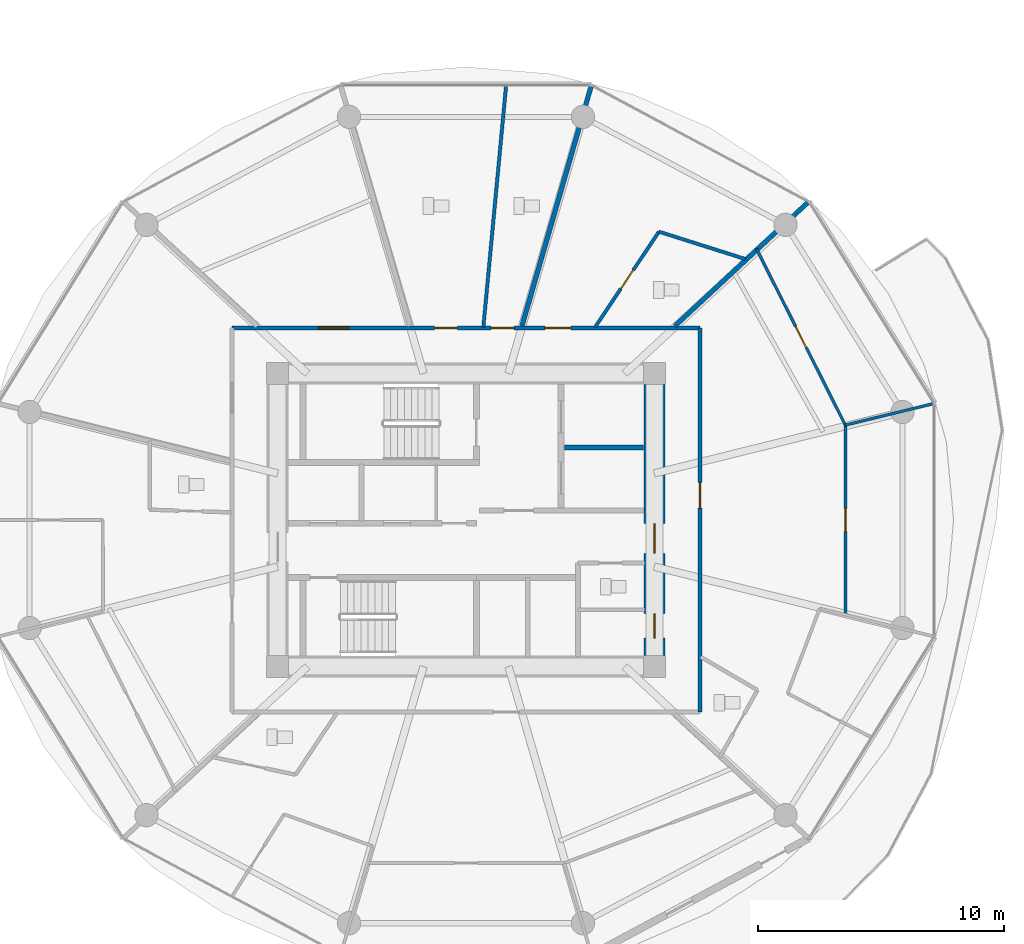
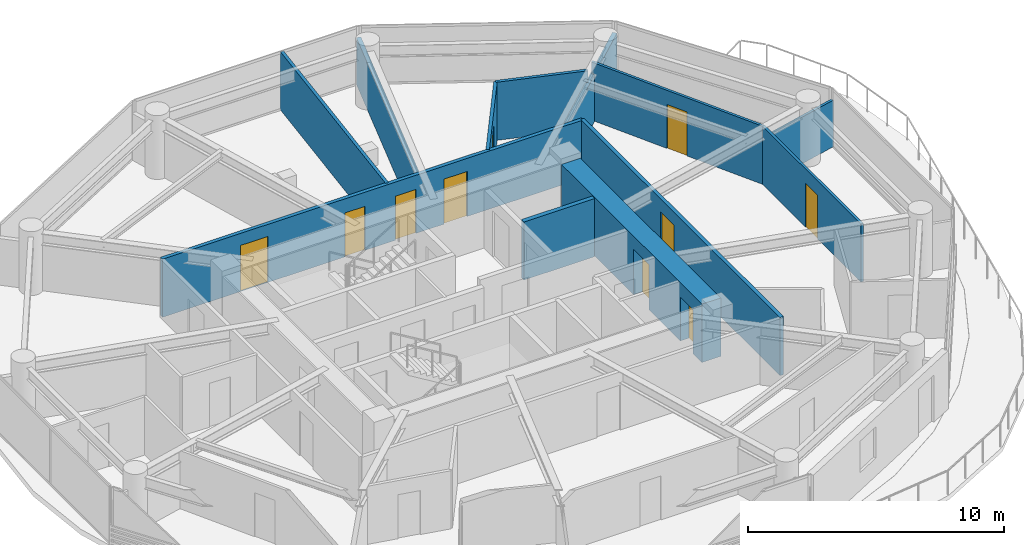
# One storey, part 20 of 27: 12 walls, 10 doors, 10 openings.
"""IFC4 building model written with IfcOpenShell, lengths in metres."""

from ifc_helpers import new_model, si_unit, direction, frame, frame_2d, origin, place, context, subcontext, project, spatial, rectangle, extrude, source, transform, mapped, material, layer, layer_set, type_object, type_shapes, element, fill, save


model = new_model("IFC4")

# Units and contexts
model_context = context("Model", 3, precision=1e-05, world=origin(), true_north=direction((0.0, 1.0)))
body_context = subcontext(model_context, "Body", "Model", "MODEL_VIEW")
ifc_project = project(units=[si_unit("LENGTHUNIT", "METRE"), si_unit("AREAUNIT", "SQUARE_METRE"), si_unit("VOLUMEUNIT", "CUBIC_METRE"), si_unit("PLANEANGLEUNIT", "RADIAN"), si_unit("MASSUNIT", "GRAM", prefix="KILO")], contexts=[model_context])

# Site, building, storey
site_placement = place(None, origin())
site = spatial("IfcSite", under=ifc_project, at=site_placement, CompositionType="ELEMENT")
building_placement = place(site_placement, origin())
building = spatial("IfcBuilding", under=site, at=building_placement, Name="Norrkilde Senior Care Towers", CompositionType="ELEMENT")
storey_placement = place(building_placement, frame((0.0, 0.0, 36.85009765625)))
storey = spatial("IfcBuildingStorey", under=building, at=storey_placement, Name="L10", CompositionType="ELEMENT", Elevation=36.85009765625)

# Wall, openings, doors
ifc_material_1 = material(Name="Concrete C60/75", Category="concrete")
ifc_layer_1 = layer(ifc_material_1, 0.85009765625)
ifc_layer_set_1 = layer_set([ifc_layer_1], Name="Concrete C60/75")
wall_type_1 = type_object("IfcWallType", Name="Core Shear Wall Z1 850", PredefinedType="SHEAR", material=ifc_layer_set_1)
shared_shape_1 = source(origin(), body_context, "Body", "SweptSolid", [
    extrude(rectangle(XDim=11.0, YDim=0.85009765625, at=frame_2d((5.5, 0.0))), origin(), (0.0, 0.0, 1.0), 2.789794921875),
])
type_shapes(wall_type_1, [shared_shape_1])
wall_1_placement = place(storey_placement, frame((35.64990234375, 5.5, 0.0), z_axis=(0.0, 0.0, 1.0), x_axis=(0.0, -1.0, 0.0)))
wall_1 = element("IfcWall", 1, at=wall_1_placement, inside=storey, type_object=wall_type_1, Name="L10 Core E East Shear Wall", PredefinedType="SHEAR", context=body_context, shape_type="MappedRepresentation", body=[
    mapped(shared_shape_1, transform((0.0, 0.0, 0.0), x_axis=(1.0, 0.0, 0.0), y_axis=(0.0, 1.0, 0.0), z_axis=(0.0, 0.0, 1.0), scale=1.0)),
])
opening_1_placement = place(wall_1_placement, frame((5.64990234375, 0.0, 0.0)))
opening_1 = element("IfcOpeningElement", 2, at=opening_1_placement, cuts=wall_1, Name="Opening D-04", PredefinedType="OPENING", context=body_context, shape_type="SweptSolid", body=[
    extrude(rectangle(XDim=1.199951171875, YDim=2.14990234375, at=frame_2d((0.60009765625, 1.074951171875))), frame((0.0, 0.43505859375, 0.0), z_axis=(0.0, -1.0, 0.0), x_axis=(1.0, 0.0, 0.0)), (0.0, 0.0, 1.0), 0.8701171875),
])
opening_2_placement = place(wall_1_placement, frame((9.300048828125, 0.0, 0.0)))
opening_2 = element("IfcOpeningElement", 3, at=opening_2_placement, cuts=wall_1, Name="Opening D-10", PredefinedType="OPENING", context=body_context, shape_type="SweptSolid", body=[
    extrude(rectangle(XDim=1.0, YDim=2.10009765625, at=frame_2d((0.5, 1.050048828125))), frame((0.0, 0.43505859375, 0.0), z_axis=(0.0, -1.0, 0.0), x_axis=(1.0, 0.0, 0.0)), (0.0, 0.0, 1.0), 0.8701171875),
])
ifc_material_2 = material(Name="Galvanised Painted Steel", Category="steel")
door_type_1 = type_object("IfcDoorType", Name="Firefighting Lobby Fire Door 1200x2150", OperationType="NOTDEFINED", PredefinedType="DOOR", material=ifc_material_2)
shared_shape_2 = source(origin(), body_context, "Body", "SweptSolid", [
    extrude(rectangle(XDim=1.199951171875, YDim=2.14990234375, at=frame_2d((0.60009765625, 1.074951171875))), frame((0.0, 0.02490234375, 0.0), z_axis=(0.0, -1.0, 0.0), x_axis=(1.0, 0.0, 0.0)), (0.0, 0.0, 1.0), 0.050048828125),
])
type_shapes(door_type_1, [shared_shape_2])
door_1_placement = place(opening_1_placement, frame((1.199951171875, 0.0, 0.0), z_axis=(0.0, 0.0, 1.0), x_axis=(-1.0, 0.0, 0.0)))
door_1 = element("IfcDoor", 4, at=door_1_placement, inside=storey, type_object=door_type_1, Name="L10 Core E East Portal Door", OperationType="SINGLE_SWING_RIGHT", OverallHeight=2.14990234375, OverallWidth=1.199951171875, PredefinedType="DOOR", context=body_context, shape_type="MappedRepresentation", body=[
    mapped(shared_shape_2, transform((0.0, 0.0, 0.0), x_axis=(1.0, 0.0, 0.0), y_axis=(0.0, 1.0, 0.0), z_axis=(0.0, 0.0, 1.0), scale=1.0)),
])
fill(opening_1, door_1)
door_type_2 = type_object("IfcDoorType", Name="Plant and Riser Rated Door 1000x2100", OperationType="NOTDEFINED", PredefinedType="DOOR", material=ifc_material_2)
shared_shape_3 = source(origin(), body_context, "Body", "SweptSolid", [
    extrude(rectangle(XDim=1.0, YDim=2.10009765625, at=frame_2d((0.5, 1.050048828125))), frame((0.0, 0.02490234375, 0.0), z_axis=(0.0, -1.0, 0.0), x_axis=(1.0, 0.0, 0.0)), (0.0, 0.0, 1.0), 0.050048828125),
])
type_shapes(door_type_2, [shared_shape_3])
door_2_placement = place(opening_2_placement, frame((1.0, 0.0, 0.0), z_axis=(0.0, 0.0, 1.0), x_axis=(-1.0, 0.0, 0.0)))
door_2 = element("IfcDoor", 5, at=door_2_placement, inside=storey, type_object=door_type_2, Name="L10 Ventilation Riser E Door", OperationType="SINGLE_SWING_RIGHT", OverallHeight=2.10009765625, OverallWidth=1.0, PredefinedType="DOOR", context=body_context, shape_type="MappedRepresentation", body=[
    mapped(shared_shape_3, transform((0.0, 0.0, 0.0), x_axis=(1.0, 0.0, 0.0), y_axis=(0.0, 1.0, 0.0), z_axis=(0.0, 0.0, 1.0), scale=1.0)),
])
fill(opening_2, door_2)

# Wall
ifc_material_3 = material(Name="Concrete C45/55", Category="concrete")
ifc_layer_2 = layer(ifc_material_3, 0.199951171875)
ifc_layer_set_2 = layer_set([ifc_layer_2], Name="Concrete C45/55")
wall_type_2 = type_object("IfcWallType", Name="Shaft Division and Plant Partition 200", PredefinedType="PARTITIONING", material=ifc_layer_set_2)
shared_shape_4 = source(origin(), body_context, "Body", "SweptSolid", [
    extrude(rectangle(XDim=3.199951171875, YDim=0.199951171875, at=frame_2d((1.60009765625, 0.0))), origin(), (0.0, 0.0, 1.0), 2.77490234375),
])
type_shapes(wall_type_2, [shared_shape_4])
wall_2_placement = place(storey_placement, frame((32.0, 2.949951171875, 0.0), z_axis=(0.0, 0.0, 1.0), x_axis=(1.0, 0.0, 0.0)))
element("IfcWall", 6, at=wall_2_placement, inside=storey, type_object=wall_type_2, Name="WL-INT-L10-E-FFLDIV", PredefinedType="PARTITIONING", context=body_context, shape_type="MappedRepresentation", body=[
    mapped(shared_shape_4, transform((0.0, 0.0, 0.0), x_axis=(1.0, 0.0, 0.0), y_axis=(0.0, 1.0, 0.0), z_axis=(0.0, 0.0, 1.0), scale=1.0)),
])

# Wall, openings, doors
ifc_material_4 = material(Name="Gypsum Acoustic Board")
ifc_layer_3 = layer(ifc_material_4, 0.1650390625)
ifc_layer_set_3 = layer_set([ifc_layer_3], Name="Gypsum Acoustic Board")
wall_type_3 = type_object("IfcWallType", Name="Corridor Rated Partition 165", PredefinedType="PARTITIONING", material=ifc_layer_set_3)
shared_shape_5 = source(origin(), body_context, "Body", "SweptSolid", [
    extrude(rectangle(XDim=19.0, YDim=0.1650390625, at=frame_2d((9.5, 0.0))), origin(), (0.0, 0.0, 1.0), 2.77490234375),
])
wall_3_placement = place(storey_placement, frame((18.5, 7.800048828125, 0.0), z_axis=(0.0, 0.0, 1.0), x_axis=(1.0, 0.0, 0.0)))
wall_3 = element("IfcWall", 7, at=wall_3_placement, inside=storey, type_object=wall_type_3, Name="WL-INT-L10-E-CRW-N-0", PredefinedType="PARTITIONING", context=body_context, shape_type="MappedRepresentation", body=[
    mapped(shared_shape_5, transform((0.0, 0.0, 0.0), x_axis=(1.0, 0.0, 0.0), y_axis=(0.0, 1.0, 0.0), z_axis=(0.0, 0.0, 1.0), scale=1.0)),
])
opening_3_placement = place(wall_3_placement, frame((10.523193359375, 0.0, 0.0)))
opening_3 = element("IfcOpeningElement", 8, at=opening_3_placement, cuts=wall_3, Name="Opening D-08", PredefinedType="OPENING", context=body_context, shape_type="SweptSolid", body=[
    extrude(rectangle(XDim=0.919921875, YDim=2.10009765625, at=frame_2d((0.4599609375, 1.050048828125))), frame((0.0, 0.092529296875, 0.0), z_axis=(0.0, -1.0, 0.0), x_axis=(1.0, 0.0, 0.0)), (0.0, 0.0, 1.0), 0.18505859375),
])
opening_4_placement = place(wall_3_placement, frame((8.2255859375, 0.0, 0.0)))
opening_4 = element("IfcOpeningElement", 9, at=opening_4_placement, cuts=wall_3, Name="Opening D-08", PredefinedType="OPENING", context=body_context, shape_type="SweptSolid", body=[
    extrude(rectangle(XDim=0.919921875, YDim=2.10009765625, at=frame_2d((0.4599609375, 1.050048828125))), frame((0.0, 0.092529296875, 0.0), z_axis=(0.0, -1.0, 0.0), x_axis=(1.0, 0.0, 0.0)), (0.0, 0.0, 1.0), 0.18505859375),
])
opening_5_placement = place(wall_3_placement, frame((3.505615234375, 0.0, 0.0)))
opening_5 = element("IfcOpeningElement", 10, at=opening_5_placement, cuts=wall_3, Name="Opening D-05", PredefinedType="OPENING", context=body_context, shape_type="SweptSolid", body=[
    extrude(rectangle(XDim=1.25, YDim=2.199951171875, at=frame_2d((0.625, 1.10009765625))), frame((0.0, 0.092529296875, 0.0), z_axis=(0.0, -1.0, 0.0), x_axis=(1.0, 0.0, 0.0)), (0.0, 0.0, 1.0), 0.18505859375),
])
opening_6_placement = place(wall_3_placement, frame((12.705810546875, 0.0, 0.0)))
opening_6 = element("IfcOpeningElement", 11, at=opening_6_placement, cuts=wall_3, Name="Opening D-06", PredefinedType="OPENING", context=body_context, shape_type="SweptSolid", body=[
    extrude(rectangle(XDim=1.050048828125, YDim=2.14990234375, at=frame_2d((0.52490234375, 1.074951171875))), frame((0.0, 0.092529296875, 0.0), z_axis=(0.0, -1.0, 0.0), x_axis=(1.0, 0.0, 0.0)), (0.0, 0.0, 1.0), 0.18505859375),
])
ifc_material_5 = material(Name="Nordic Ash Timber", Category="wood")
door_type_3 = type_object("IfcDoorType", Name="Care Bedroom Bariatric Door 1250x2200", OperationType="NOTDEFINED", PredefinedType="DOOR", material=ifc_material_5)
shared_shape_6 = source(origin(), body_context, "Body", "SweptSolid", [
    extrude(rectangle(XDim=1.25, YDim=2.199951171875, at=frame_2d((0.625, 1.10009765625))), frame((0.0, 0.02490234375, 0.0), z_axis=(0.0, -1.0, 0.0), x_axis=(1.0, 0.0, 0.0)), (0.0, 0.0, 1.0), 0.050048828125),
])
type_shapes(door_type_3, [shared_shape_6])
door_3_placement = place(opening_5_placement, frame((1.25, 0.0, 0.0), z_axis=(0.0, 0.0, 1.0), x_axis=(-1.0, 0.0, 0.0)))
door_3 = element("IfcDoor", 12, at=door_3_placement, inside=storey, type_object=door_type_3, Name="L10 Resident Therapeutic Day Lounge Door", OperationType="SINGLE_SWING_RIGHT", OverallHeight=2.199951171875, OverallWidth=1.25, PredefinedType="DOOR", context=body_context, shape_type="MappedRepresentation", body=[
    mapped(shared_shape_6, transform((0.0, 0.0, 0.0), x_axis=(1.0, 0.0, 0.0), y_axis=(0.0, 1.0, 0.0), z_axis=(0.0, 0.0, 1.0), scale=1.0)),
])
fill(opening_5, door_3)
door_type_4 = type_object("IfcDoorType", Name="Accessible Wet Room Door 920x2100", OperationType="NOTDEFINED", PredefinedType="DOOR", material=ifc_material_5)
shared_shape_7 = source(origin(), body_context, "Body", "SweptSolid", [
    extrude(rectangle(XDim=0.919921875, YDim=2.10009765625, at=frame_2d((0.4599609375, 1.050048828125))), frame((0.0, 0.02490234375, 0.0), z_axis=(0.0, -1.0, 0.0), x_axis=(1.0, 0.0, 0.0)), (0.0, 0.0, 1.0), 0.050048828125),
])
type_shapes(door_type_4, [shared_shape_7])
door_4_placement = place(opening_3_placement, frame((0.919921875, 0.0, 0.0), z_axis=(0.0, 0.0, 1.0), x_axis=(-1.0, 0.0, 0.0)))
door_4 = element("IfcDoor", 13, at=door_4_placement, inside=storey, type_object=door_type_4, Name="L10 Accessible Restroom Door", OperationType="SINGLE_SWING_LEFT", OverallHeight=2.10009765625, OverallWidth=0.919921875, PredefinedType="DOOR", context=body_context, shape_type="MappedRepresentation", body=[
    mapped(shared_shape_7, transform((0.0, 0.0, 0.0), x_axis=(1.0, 0.0, 0.0), y_axis=(0.0, 1.0, 0.0), z_axis=(0.0, 0.0, 1.0), scale=1.0)),
])
fill(opening_3, door_4)
door_5_placement = place(opening_4_placement, frame((0.919921875, 0.0, 0.0), z_axis=(0.0, 0.0, 1.0), x_axis=(-1.0, 0.0, 0.0)))
door_5 = element("IfcDoor", 14, at=door_5_placement, inside=storey, type_object=door_type_4, Name="L10 Public Restroom Door", OperationType="SINGLE_SWING_RIGHT", OverallHeight=2.10009765625, OverallWidth=0.919921875, PredefinedType="DOOR", context=body_context, shape_type="MappedRepresentation", body=[
    mapped(shared_shape_7, transform((0.0, 0.0, 0.0), x_axis=(1.0, 0.0, 0.0), y_axis=(0.0, 1.0, 0.0), z_axis=(0.0, 0.0, 1.0), scale=1.0)),
])
fill(opening_4, door_5)
door_type_5 = type_object("IfcDoorType", Name="Apartment Entrance Fire Door 1050x2150", OperationType="NOTDEFINED", PredefinedType="DOOR", material=ifc_material_5)
shared_shape_8 = source(origin(), body_context, "Body", "SweptSolid", [
    extrude(rectangle(XDim=1.050048828125, YDim=2.14990234375, at=frame_2d((0.52490234375, 1.074951171875))), frame((0.0, 0.02490234375, 0.0), z_axis=(0.0, -1.0, 0.0), x_axis=(1.0, 0.0, 0.0)), (0.0, 0.0, 1.0), 0.050048828125),
])
type_shapes(door_type_5, [shared_shape_8])
door_6_placement = place(opening_6_placement, frame((1.050048828125, 0.0, 0.0), z_axis=(0.0, 0.0, 1.0), x_axis=(-1.0, 0.0, 0.0)))
door_6 = element("IfcDoor", 15, at=door_6_placement, inside=storey, type_object=door_type_5, Name="L10 Studio 10G Entrance Door", OperationType="SINGLE_SWING_LEFT", OverallHeight=2.14990234375, OverallWidth=1.050048828125, PredefinedType="DOOR", context=body_context, shape_type="MappedRepresentation", body=[
    mapped(shared_shape_8, transform((0.0, 0.0, 0.0), x_axis=(1.0, 0.0, 0.0), y_axis=(0.0, 1.0, 0.0), z_axis=(0.0, 0.0, 1.0), scale=1.0)),
])
fill(opening_6, door_6)

# Wall, opening, door
shared_shape_9 = source(origin(), body_context, "Body", "SweptSolid", [
    extrude(rectangle(XDim=15.60009765625, YDim=0.1650390625, at=frame_2d((7.800048828125, 0.0))), origin(), (0.0, 0.0, 1.0), 2.77490234375),
])
type_shapes(wall_type_3, [shared_shape_5, shared_shape_9])
wall_4_placement = place(storey_placement, frame((37.5, 7.800048828125, 0.0), z_axis=(0.0, 0.0, 1.0), x_axis=(0.0, -1.0, 0.0)))
wall_4 = element("IfcWall", 16, at=wall_4_placement, inside=storey, type_object=wall_type_3, Name="WL-INT-L10-E-CRW-E-0", PredefinedType="PARTITIONING", context=body_context, shape_type="MappedRepresentation", body=[
    mapped(shared_shape_9, transform((0.0, 0.0, 0.0), x_axis=(1.0, 0.0, 0.0), y_axis=(0.0, 1.0, 0.0), z_axis=(0.0, 0.0, 1.0), scale=1.0)),
])
opening_7_placement = place(wall_4_placement, frame((6.26904296875, 0.0, 0.0)))
opening_7 = element("IfcOpeningElement", 17, at=opening_7_placement, cuts=wall_4, Name="Opening D-06", PredefinedType="OPENING", context=body_context, shape_type="SweptSolid", body=[
    extrude(rectangle(XDim=1.050048828125, YDim=2.14990234375, at=frame_2d((0.52490234375, 1.074951171875))), frame((0.0, 0.092529296875, 0.0), z_axis=(0.0, -1.0, 0.0), x_axis=(1.0, 0.0, 0.0)), (0.0, 0.0, 1.0), 0.18505859375),
])
door_7_placement = place(opening_7_placement, frame((1.050048828125, 0.0, 0.0), z_axis=(0.0, 0.0, 1.0), x_axis=(-1.0, 0.0, 0.0)))
door_7 = element("IfcDoor", 18, at=door_7_placement, inside=storey, type_object=door_type_5, Name="Apartment 10F Entrance Door", OperationType="SINGLE_SWING_LEFT", OverallHeight=2.14990234375, OverallWidth=1.050048828125, PredefinedType="DOOR", context=body_context, shape_type="MappedRepresentation", body=[
    mapped(shared_shape_8, transform((0.0, 0.0, 0.0), x_axis=(1.0, 0.0, 0.0), y_axis=(0.0, 1.0, 0.0), z_axis=(0.0, 0.0, 1.0), scale=1.0)),
])
fill(opening_7, door_7)

# Walls
ifc_layer_4 = layer(ifc_material_4, 0.18994140625)
ifc_layer_set_4 = layer_set([ifc_layer_4], Name="Gypsum Acoustic Board")
wall_type_4 = type_object("IfcWallType", Name="Unit Demising Acoustic Wall 190", PredefinedType="PARTITIONING", material=ifc_layer_set_4)
shared_shape_10 = source(origin(), body_context, "Body", "SweptSolid", [
    extrude(rectangle(XDim=7.4345703125, YDim=0.18994140625, at=frame_2d((3.71728515625, 0.0))), origin(), (0.0, 0.0, 1.0), 2.224853515625),
])
wall_5_placement = place(storey_placement, frame((36.48291015625, 7.8798828125, 0.0), z_axis=(0.0, 0.0, 1.0), x_axis=(0.732651956848, 0.680603489652, 0.0)))
element("IfcWall", 19, at=wall_5_placement, inside=storey, type_object=wall_type_4, Name="WL-INT-L10-E-DEM-01-0", PredefinedType="PARTITIONING", context=body_context, shape_type="MappedRepresentation", body=[
    mapped(shared_shape_10, transform((0.0, 0.0, 0.0), x_axis=(1.0, 0.0, 0.0), y_axis=(0.0, 1.0, 0.0), z_axis=(0.0, 0.0, 1.0), scale=1.0)),
])
shared_shape_11 = source(origin(), body_context, "Body", "SweptSolid", [
    extrude(rectangle(XDim=10.196044921875, YDim=0.18994140625, at=frame_2d((5.09814453125, 0.0))), origin(), (0.0, 0.0, 1.0), 2.224853515625),
])
type_shapes(wall_type_4, [shared_shape_10, shared_shape_11])
wall_6_placement = place(storey_placement, frame((30.27294921875, 7.8798828125, 0.0), z_axis=(0.0, 0.0, 1.0), x_axis=(0.277136420347, 0.960830580549, 0.0)))
element("IfcWall", 20, at=wall_6_placement, inside=storey, type_object=wall_type_4, Name="WL-INT-L10-E-DEM-02-0", PredefinedType="PARTITIONING", context=body_context, shape_type="MappedRepresentation", body=[
    mapped(shared_shape_11, transform((0.0, 0.0, 0.0), x_axis=(1.0, 0.0, 0.0), y_axis=(0.0, 1.0, 0.0), z_axis=(0.0, 0.0, 1.0), scale=1.0)),
])

# Wall, opening, door
ifc_layer_5 = layer(ifc_material_4, 0.114990234375)
ifc_layer_set_5 = layer_set([ifc_layer_5], Name="Gypsum Acoustic Board")
wall_type_5 = type_object("IfcWallType", Name="Internal Room Partition 115", PredefinedType="PARTITIONING", material=ifc_layer_set_5)
shared_shape_12 = source(origin(), body_context, "Body", "SweptSolid", [
    extrude(rectangle(XDim=8.017822265625, YDim=0.114990234375, at=frame_2d((4.0087890625, 0.0))), origin(), (0.0, 0.0, 1.0), 2.77490234375),
])
wall_7_placement = place(storey_placement, frame((43.404052734375, 3.854248046875, 0.0), z_axis=(0.0, 0.0, 1.0), x_axis=(-0.450134355233, 0.89296084026, 0.0)))
wall_7 = element("IfcWall", 21, at=wall_7_placement, inside=storey, type_object=wall_type_5, Name="WL-INT-L10-E-UBC-10-2", PredefinedType="PARTITIONING", context=body_context, shape_type="MappedRepresentation", body=[
    mapped(shared_shape_12, transform((0.0, 0.0, 0.0), x_axis=(1.0, 0.0, 0.0), y_axis=(0.0, 1.0, 0.0), z_axis=(0.0, 0.0, 1.0), scale=1.0)),
])
opening_8_placement = place(wall_7_placement, frame((3.533935546875, 0.0, 0.0)))
opening_8 = element("IfcOpeningElement", 22, at=opening_8_placement, cuts=wall_7, Name="Opening D-07", PredefinedType="OPENING", context=body_context, shape_type="SweptSolid", body=[
    extrude(rectangle(XDim=0.949951171875, YDim=2.10009765625, at=frame_2d((0.47509765625, 1.050048828125))), frame((0.0, 0.0673828125, 0.0), z_axis=(0.0, -1.0, 0.0), x_axis=(1.0, 0.0, 0.0)), (0.0, 0.0, 1.0), 0.135009765625),
])
door_type_6 = type_object("IfcDoorType", Name="Internal Suite Bedroom Door 950x2100", OperationType="NOTDEFINED", PredefinedType="DOOR", material=ifc_material_5)
shared_shape_13 = source(origin(), body_context, "Body", "SweptSolid", [
    extrude(rectangle(XDim=0.949951171875, YDim=2.10009765625, at=frame_2d((0.47509765625, 1.050048828125))), frame((0.0, 0.02490234375, 0.0), z_axis=(0.0, -1.0, 0.0), x_axis=(1.0, 0.0, 0.0)), (0.0, 0.0, 1.0), 0.050048828125),
])
type_shapes(door_type_6, [shared_shape_13])
door_8_placement = place(opening_8_placement, frame((0.949951171875, 0.0, 0.0), z_axis=(0.0, 0.0, 1.0), x_axis=(-1.0, 0.0, 0.0)))
door_8 = element("IfcDoor", 23, at=door_8_placement, inside=storey, type_object=door_type_6, Name="Apartment 10F Bedroom 2 Door", OperationType="SINGLE_SWING_LEFT", OverallHeight=2.10009765625, OverallWidth=0.949951171875, PredefinedType="DOOR", context=body_context, shape_type="MappedRepresentation", body=[
    mapped(shared_shape_13, transform((0.0, 0.0, 0.0), x_axis=(1.0, 0.0, 0.0), y_axis=(0.0, 1.0, 0.0), z_axis=(0.0, 0.0, 1.0), scale=1.0)),
])
fill(opening_8, door_8)

# Wall
ifc_layer_6 = layer(ifc_material_4, 0.139892578125)
ifc_layer_set_6 = layer_set([ifc_layer_6], Name="Gypsum Acoustic Board")
wall_type_6 = type_object("IfcWallType", Name="En-suite Wet Room Wall 140", PredefinedType="PARTITIONING", material=ifc_layer_set_6)
shared_shape_14 = source(origin(), body_context, "Body", "SweptSolid", [
    extrude(rectangle(XDim=9.89013671875, YDim=0.139892578125, at=frame_2d((4.945068359375, 0.0))), origin(), (0.0, 0.0, 1.0), 2.77490234375),
])
wall_8_placement = place(storey_placement, frame((28.7041015625, 7.830078125, 0.0), z_axis=(0.0, 0.0, 1.0), x_axis=(0.093780403478, 0.995592906726, 0.0)))
element("IfcWall", 24, at=wall_8_placement, inside=storey, type_object=wall_type_6, Name="WL-INT-L10-E-MID-02", PredefinedType="PARTITIONING", context=body_context, shape_type="MappedRepresentation", body=[
    mapped(shared_shape_14, transform((0.0, 0.0, 0.0), x_axis=(1.0, 0.0, 0.0), y_axis=(0.0, 1.0, 0.0), z_axis=(0.0, 0.0, 1.0), scale=1.0)),
])

# Wall, opening, door
shared_shape_15 = source(origin(), body_context, "Body", "SweptSolid", [
    extrude(rectangle(XDim=7.70947265625, YDim=0.114990234375, at=frame_2d((3.854736328125, 0.0))), origin(), (0.0, 0.0, 1.0), 2.77490234375),
])
wall_9_placement = place(storey_placement, frame((43.40625, -3.854736328125, 0.0), z_axis=(0.0, 0.0, 1.0), x_axis=(0.0, 1.0, 0.0)))
wall_9 = element("IfcWall", 25, at=wall_9_placement, inside=storey, type_object=wall_type_5, Name="WL-INT-L10-E-UBC-10-1", PredefinedType="PARTITIONING", context=body_context, shape_type="MappedRepresentation", body=[
    mapped(shared_shape_15, transform((0.0, 0.0, 0.0), x_axis=(1.0, 0.0, 0.0), y_axis=(0.0, 1.0, 0.0), z_axis=(0.0, 0.0, 1.0), scale=1.0)),
])
opening_9_placement = place(wall_9_placement, frame((3.379638671875, 0.0, 0.0)))
opening_9 = element("IfcOpeningElement", 26, at=opening_9_placement, cuts=wall_9, Name="Opening D-07", PredefinedType="OPENING", context=body_context, shape_type="SweptSolid", body=[
    extrude(rectangle(XDim=0.949951171875, YDim=2.10009765625, at=frame_2d((0.47509765625, 1.050048828125))), frame((0.0, 0.0673828125, 0.0), z_axis=(0.0, -1.0, 0.0), x_axis=(1.0, 0.0, 0.0)), (0.0, 0.0, 1.0), 0.135009765625),
])
door_9_placement = place(opening_9_placement, origin())
door_9 = element("IfcDoor", 27, at=door_9_placement, inside=storey, type_object=door_type_6, Name="Apartment 10F Bedroom 1 Door", OperationType="SINGLE_SWING_RIGHT", OverallHeight=2.10009765625, OverallWidth=0.949951171875, PredefinedType="DOOR", context=body_context, shape_type="MappedRepresentation", body=[
    mapped(shared_shape_13, transform((0.0, 0.0, 0.0), x_axis=(1.0, 0.0, 0.0), y_axis=(0.0, 1.0, 0.0), z_axis=(0.0, 0.0, 1.0), scale=1.0)),
])
fill(opening_9, door_9)

shared_shape_16 = source(origin(), body_context, "Body", "SweptSolid", [
    extrude(rectangle(XDim=4.667724609375, YDim=0.139892578125, at=frame_2d((2.333984375, 0.0))), origin(), (0.0, 0.0, 1.0), 2.77490234375),
])
wall_10_placement = place(storey_placement, frame((33.23974609375, 7.830078125, 0.0), z_axis=(0.0, 0.0, 1.0), x_axis=(0.55615986029, 0.83107533341, 0.0)))
wall_10 = element("IfcWall", 28, at=wall_10_placement, inside=storey, type_object=wall_type_6, Name="WL-INT-L10-E-ES-01", PredefinedType="PARTITIONING", context=body_context, shape_type="MappedRepresentation", body=[
    mapped(shared_shape_16, transform((0.0, 0.0, 0.0), x_axis=(1.0, 0.0, 0.0), y_axis=(0.0, 1.0, 0.0), z_axis=(0.0, 0.0, 1.0), scale=1.0)),
])
opening_10_placement = place(wall_10_placement, frame((1.873779296875, 0.0, 0.0)))
opening_10 = element("IfcOpeningElement", 29, at=opening_10_placement, cuts=wall_10, Name="Opening D-08", PredefinedType="OPENING", context=body_context, shape_type="SweptSolid", body=[
    extrude(rectangle(XDim=0.919921875, YDim=2.10009765625, at=frame_2d((0.4599609375, 1.050048828125))), frame((0.0, 0.079833984375, 0.0), z_axis=(0.0, -1.0, 0.0), x_axis=(1.0, 0.0, 0.0)), (0.0, 0.0, 1.0), 0.159912109375),
])
door_10_placement = place(opening_10_placement, origin())
door_10 = element("IfcDoor", 30, at=door_10_placement, inside=storey, type_object=door_type_4, Name="L10 Studio 10G Bathroom Door", OperationType="SINGLE_SWING_RIGHT", OverallHeight=2.10009765625, OverallWidth=0.919921875, PredefinedType="DOOR", context=body_context, shape_type="MappedRepresentation", body=[
    mapped(shared_shape_7, transform((0.0, 0.0, 0.0), x_axis=(1.0, 0.0, 0.0), y_axis=(0.0, 1.0, 0.0), z_axis=(0.0, 0.0, 1.0), scale=1.0)),
])
fill(opening_10, door_10)

# Walls
shared_shape_17 = source(origin(), body_context, "Body", "SweptSolid", [
    extrude(rectangle(XDim=3.68408203125, YDim=0.139892578125, at=frame_2d((1.842041015625, 0.0))), origin(), (0.0, 0.0, 1.0), 2.77490234375),
])
type_shapes(wall_type_6, [shared_shape_14, shared_shape_16, shared_shape_17])
wall_11_placement = place(storey_placement, frame((35.835693359375, 11.709228515625, 0.0), z_axis=(0.0, 0.0, 1.0), x_axis=(0.953245538614, -0.302196861518, 0.0)))
element("IfcWall", 31, at=wall_11_placement, inside=storey, type_object=wall_type_6, Name="WL-INT-L10-E-EF-01", PredefinedType="PARTITIONING", context=body_context, shape_type="MappedRepresentation", body=[
    mapped(shared_shape_17, transform((0.0, 0.0, 0.0), x_axis=(1.0, 0.0, 0.0), y_axis=(0.0, 1.0, 0.0), z_axis=(0.0, 0.0, 1.0), scale=1.0)),
])
shared_shape_18 = source(origin(), body_context, "Body", "SweptSolid", [
    extrude(rectangle(XDim=3.73046875, YDim=0.114990234375, at=frame_2d((1.865234375, 0.0))), origin(), (0.0, 0.0, 1.0), 2.224853515625),
])
type_shapes(wall_type_5, [shared_shape_12, shared_shape_15, shared_shape_18])
wall_12_placement = place(storey_placement, frame((43.404052734375, 3.854248046875, 0.0), z_axis=(0.0, 0.0, 1.0), x_axis=(0.971644038568, 0.236448434791, 0.0)))
element("IfcWall", 32, at=wall_12_placement, inside=storey, type_object=wall_type_5, Name="WL-INT-L10-E-UBR-10-2", PredefinedType="PARTITIONING", context=body_context, shape_type="MappedRepresentation", body=[
    mapped(shared_shape_18, transform((0.0, 0.0, 0.0), x_axis=(1.0, 0.0, 0.0), y_axis=(0.0, 1.0, 0.0), z_axis=(0.0, 0.0, 1.0), scale=1.0)),
])

save(model, "model.ifc")
